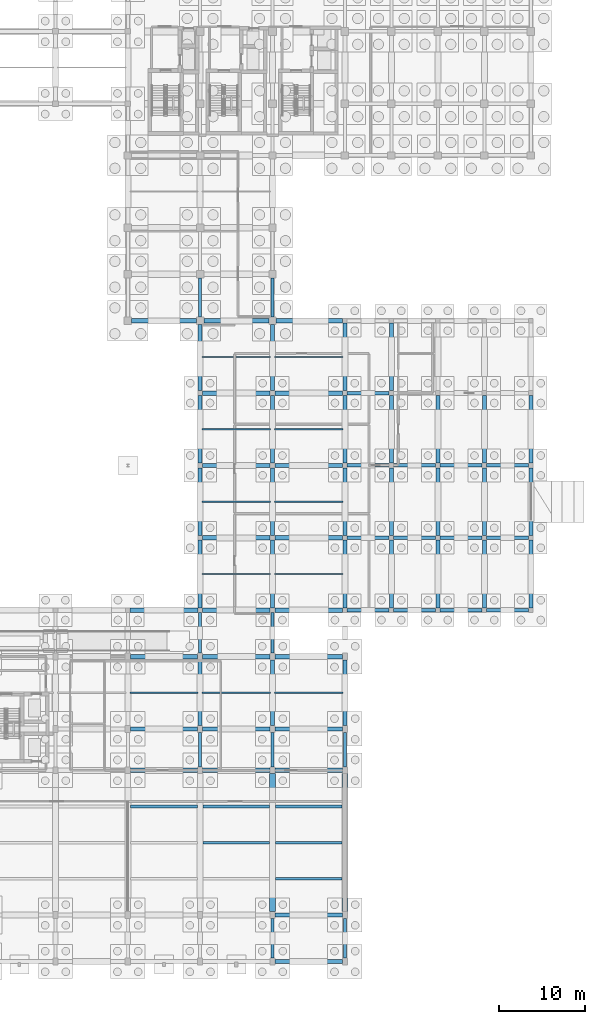
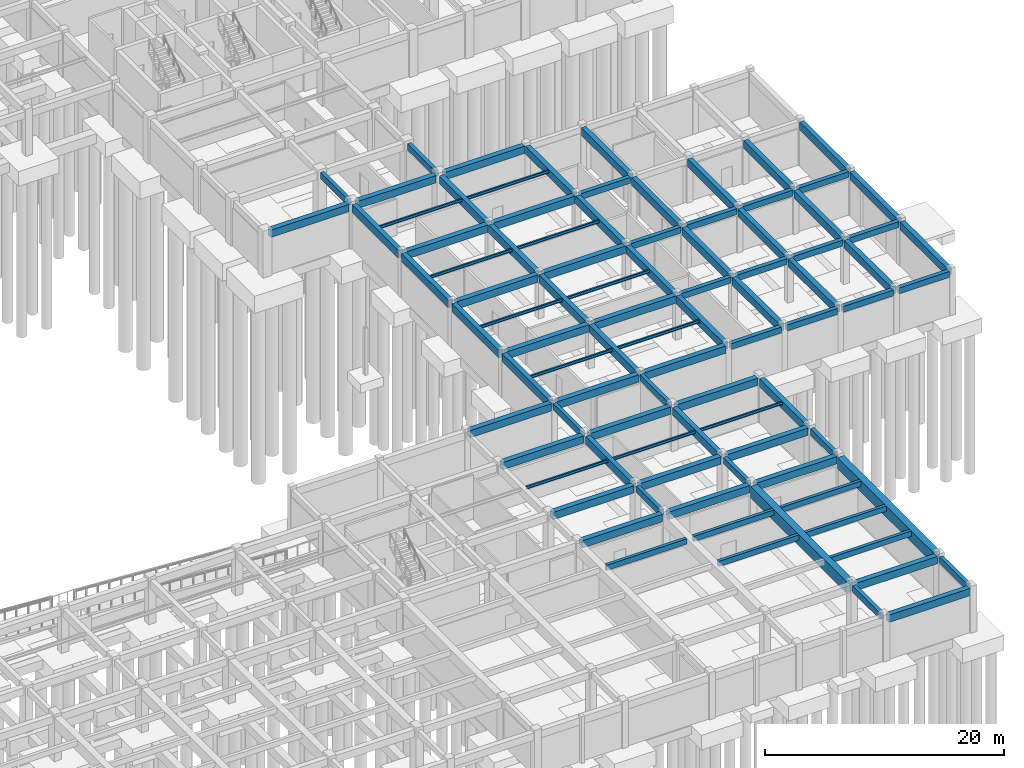
# One storey, part 30 of 49: 92 beams.
"""IFC4 building model written with IfcOpenShell, lengths in metres."""

from ifc_helpers import new_model, si_unit, direction, frame, origin, origin_2d, place, context, subcontext, project, spatial, rectangle, i_section, extrude, material, material_profile, profile_set, type_object, element, save


model = new_model("IFC4")

# Units and contexts
model_context = context("Model", 3, precision=1e-05, world=origin(), true_north=direction((0.0, 1.0)))
body_context = subcontext(model_context, "Body", "Model", "MODEL_VIEW")
ifc_project = project(units=[si_unit("LENGTHUNIT", "METRE"), si_unit("AREAUNIT", "SQUARE_METRE"), si_unit("VOLUMEUNIT", "CUBIC_METRE"), si_unit("PLANEANGLEUNIT", "RADIAN"), si_unit("MASSUNIT", "GRAM", prefix="KILO")], contexts=[model_context])

# Site, building, storey
site_placement = place(None, origin())
site = spatial("IfcSite", under=ifc_project, at=site_placement, CompositionType="ELEMENT")
building_placement = place(site_placement, origin())
building = spatial("IfcBuilding", under=site, at=building_placement, Name="Krzemoval Escarpment Law Courts", CompositionType="ELEMENT")
storey_placement = place(building_placement, frame((0.0, 0.0, -4.800048828125)))
storey = spatial("IfcBuildingStorey", under=building, at=storey_placement, Name="B1", CompositionType="ELEMENT", Elevation=-4.800048828125)

# Beams
ifc_material_1 = material(Name="Concrete C50/60", Category="concrete")
ifc_material_profile_1 = material_profile(ifc_material_1, rectangle(XDim=0.64990234375, YDim=1.14990234375, at=origin_2d()), Name="PTG 650x1150")
ifc_profile_set_1 = profile_set([ifc_material_profile_1], Name="Concrete C50/60")
beam_type_1 = type_object("IfcBeamType", Name="BM-PTG-650x1150", PredefinedType="BEAM", material=ifc_profile_set_1)
for number, where, z_axis, x_axis, name in (
    (1, (142.800048828125, 5.800048828125, 3.925048828125), (0.0, 1.0, 0.0), (-1.0, 0.0, 0.0), "Beam FG-B1-0411"),
    (2, (151.199951171875, 5.800048828125, 3.925048828125), (0.0, 1.0, 0.0), (-1.0, 0.0, 0.0), "Beam FG-B1-0427"),
):
    element("IfcBeam", number, at=place(storey_placement, frame(where, z_axis=z_axis, x_axis=x_axis)), inside=storey, type_object=beam_type_1, Name=name, PredefinedType="BEAM", context=body_context, shape_type="SweptSolid", body=[
        extrude(rectangle(XDim=0.64990234375, YDim=1.14990234375, at=origin_2d()), origin(), (0.0, 0.0, 1.0), 16.0),
    ])
ifc_material_2 = material(Name="Concrete C40/50", Category="concrete")
ifc_material_profile_2 = material_profile(ifc_material_2, rectangle(XDim=0.35009765625, YDim=0.64990234375, at=origin_2d()), Name="RCB 350x650")
ifc_profile_set_2 = profile_set([ifc_material_profile_2], Name="Concrete C40/50")
beam_type_2 = type_object("IfcBeamType", Name="BM-RC-350x650", PredefinedType="BEAM", material=ifc_profile_set_2)
beam_1_placement = place(storey_placement, frame((134.39990234375, 22.60009765625, 4.175048828125), z_axis=(0.0, 1.0, 0.0), x_axis=(-1.0, 0.0, 0.0)))
element("IfcBeam", 3, at=beam_1_placement, inside=storey, type_object=beam_type_2, Name="Beam FG-B1-0396", PredefinedType="BEAM", context=body_context, shape_type="SweptSolid", body=[
    extrude(rectangle(XDim=0.35009765625, YDim=0.64990234375, at=origin_2d()), origin(), (0.0, 0.0, 1.0), 4.0),
])
beam_2_placement = place(storey_placement, frame((134.39990234375, 35.800048828125, 4.175048828125), z_axis=(0.0, 1.0, 0.0), x_axis=(-1.0, 0.0, 0.0)))
element("IfcBeam", 4, at=beam_2_placement, inside=storey, type_object=beam_type_2, Name="Beam FG-B1-0398", PredefinedType="BEAM", context=body_context, shape_type="SweptSolid", body=[
    extrude(rectangle(XDim=0.35009765625, YDim=0.64990234375, at=origin_2d()), origin(), (0.0, 0.0, 1.0), 4.724853515625),
])
beam_3_placement = place(storey_placement, frame((134.39990234375, 74.824951171875, 4.175048828125), z_axis=(0.0, 1.0, 0.0), x_axis=(-1.0, 0.0, 0.0)))
element("IfcBeam", 5, at=beam_3_placement, inside=storey, type_object=beam_type_2, Name="Beam FG-B1-0403", PredefinedType="BEAM", context=body_context, shape_type="SweptSolid", body=[
    extrude(rectangle(XDim=0.35009765625, YDim=0.64990234375, at=origin_2d()), origin(), (0.0, 0.0, 1.0), 4.550048828125),
])
beam_4_placement = place(storey_placement, frame((142.800048828125, 0.39990234375, 4.175048828125), z_axis=(0.0, 1.0, 0.0), x_axis=(-1.0, 0.0, 0.0)))
element("IfcBeam", 6, at=beam_4_placement, inside=storey, type_object=beam_type_2, Name="Beam FG-B1-0410", PredefinedType="BEAM", context=body_context, shape_type="SweptSolid", body=[
    extrude(rectangle(XDim=0.35009765625, YDim=0.64990234375, at=origin_2d()), origin(), (0.0, 0.0, 1.0), 4.60009765625),
])
beam_5_placement = place(storey_placement, frame((142.800048828125, 22.60009765625, 4.175048828125), z_axis=(0.0, 1.0, 0.0), x_axis=(-1.0, 0.0, 0.0)))
element("IfcBeam", 7, at=beam_5_placement, inside=storey, type_object=beam_type_2, Name="Beam FG-B1-0412", PredefinedType="BEAM", context=body_context, shape_type="SweptSolid", body=[
    extrude(rectangle(XDim=0.35009765625, YDim=0.64990234375, at=origin_2d()), origin(), (0.0, 0.0, 1.0), 4.0),
])
beam_6_placement = place(storey_placement, frame((142.800048828125, 35.800048828125, 4.175048828125), z_axis=(0.0, 1.0, 0.0), x_axis=(-1.0, 0.0, 0.0)))
element("IfcBeam", 8, at=beam_6_placement, inside=storey, type_object=beam_type_2, Name="Beam FG-B1-0414", PredefinedType="BEAM", context=body_context, shape_type="SweptSolid", body=[
    extrude(rectangle(XDim=0.35009765625, YDim=0.64990234375, at=origin_2d()), origin(), (0.0, 0.0, 1.0), 4.724853515625),
])
beam_7_placement = place(storey_placement, frame((142.800048828125, 74.824951171875, 4.175048828125), z_axis=(0.0, 1.0, 0.0), x_axis=(-1.0, 0.0, 0.0)))
element("IfcBeam", 9, at=beam_7_placement, inside=storey, type_object=beam_type_2, Name="Beam FG-B1-0419", PredefinedType="BEAM", context=body_context, shape_type="SweptSolid", body=[
    extrude(rectangle(XDim=0.35009765625, YDim=0.64990234375, at=origin_2d()), origin(), (0.0, 0.0, 1.0), 4.550048828125),
])
beam_8_placement = place(storey_placement, frame((151.199951171875, 0.39990234375, 4.175048828125), z_axis=(0.0, 1.0, 0.0), x_axis=(-1.0, 0.0, 0.0)))
element("IfcBeam", 10, at=beam_8_placement, inside=storey, type_object=beam_type_2, Name="Beam FG-B1-0426", PredefinedType="BEAM", context=body_context, shape_type="SweptSolid", body=[
    extrude(rectangle(XDim=0.35009765625, YDim=0.64990234375, at=origin_2d()), origin(), (0.0, 0.0, 1.0), 4.60009765625),
])
beam_9_placement = place(storey_placement, frame((151.199951171875, 22.60009765625, 4.175048828125), z_axis=(0.0, 1.0, 0.0), x_axis=(-1.0, 0.0, 0.0)))
element("IfcBeam", 11, at=beam_9_placement, inside=storey, type_object=beam_type_2, Name="Beam FG-B1-0428", PredefinedType="BEAM", context=body_context, shape_type="SweptSolid", body=[
    extrude(rectangle(XDim=0.35009765625, YDim=0.64990234375, at=origin_2d()), origin(), (0.0, 0.0, 1.0), 4.0),
])
ifc_material_3 = material(Name="Concrete C40/50", Category="concrete")
ifc_material_profile_3 = material_profile(ifc_material_3, rectangle(XDim=0.39990234375, YDim=0.60009765625, at=origin_2d()), Name="RCB 400x600")
ifc_profile_set_3 = profile_set([ifc_material_profile_3], Name="Concrete C40/50")
beam_type_3 = type_object("IfcBeamType", Name="BM-RC-400x600", PredefinedType="BEAM", material=ifc_profile_set_3)
beam_10_placement = place(storey_placement, frame((151.47509765625, 40.800048828125, 4.199951171875), z_axis=(1.0, 0.0, 0.0), x_axis=(0.0, 1.0, 0.0)))
element("IfcBeam", 12, at=beam_10_placement, inside=storey, type_object=beam_type_3, Name="Beam FG-B1-0099", PredefinedType="BEAM", context=body_context, shape_type="SweptSolid", body=[
    extrude(rectangle(XDim=0.39990234375, YDim=0.60009765625, at=origin_2d()), origin(), (0.0, 0.0, 1.0), 4.849853515625),
])
for number, where, z_axis, x_axis, name in (
    (13, (156.875, 40.800048828125, 4.199951171875), (1.0, 0.0, 0.0), (0.0, 1.0, 0.0), "Beam FG-B1-0100"),
    (14, (162.27490234375, 40.800048828125, 4.199951171875), (1.0, 0.0, 0.0), (0.0, 1.0, 0.0), "Beam FG-B1-0101"),
):
    element("IfcBeam", number, at=place(storey_placement, frame(where, z_axis=z_axis, x_axis=x_axis)), inside=storey, type_object=beam_type_3, Name=name, PredefinedType="BEAM", context=body_context, shape_type="SweptSolid", body=[
        extrude(rectangle(XDim=0.39990234375, YDim=0.60009765625, at=origin_2d()), origin(), (0.0, 0.0, 1.0), 4.85009765625),
    ])
for number, where, z_axis, x_axis, name in (
    (15, (167.675048828125, 40.800048828125, 4.199951171875), (1.0, 0.0, 0.0), (0.0, 1.0, 0.0), "Beam FG-B1-0102"),
    (16, (151.47509765625, 49.199951171875, 4.199951171875), (1.0, 0.0, 0.0), (0.0, 1.0, 0.0), "Beam FG-B1-0109"),
):
    element("IfcBeam", number, at=place(storey_placement, frame(where, z_axis=z_axis, x_axis=x_axis)), inside=storey, type_object=beam_type_3, Name=name, PredefinedType="BEAM", context=body_context, shape_type="SweptSolid", body=[
        extrude(rectangle(XDim=0.39990234375, YDim=0.60009765625, at=origin_2d()), origin(), (0.0, 0.0, 1.0), 4.849853515625),
    ])
for number, where, z_axis, x_axis, name in (
    (17, (156.875, 49.199951171875, 4.199951171875), (1.0, 0.0, 0.0), (0.0, 1.0, 0.0), "Beam FG-B1-0110"),
    (18, (162.27490234375, 49.199951171875, 4.199951171875), (1.0, 0.0, 0.0), (0.0, 1.0, 0.0), "Beam FG-B1-0111"),
):
    element("IfcBeam", number, at=place(storey_placement, frame(where, z_axis=z_axis, x_axis=x_axis)), inside=storey, type_object=beam_type_3, Name=name, PredefinedType="BEAM", context=body_context, shape_type="SweptSolid", body=[
        extrude(rectangle(XDim=0.39990234375, YDim=0.60009765625, at=origin_2d()), origin(), (0.0, 0.0, 1.0), 4.85009765625),
    ])
for number, where, z_axis, x_axis, name in (
    (19, (167.675048828125, 49.199951171875, 4.199951171875), (1.0, 0.0, 0.0), (0.0, 1.0, 0.0), "Beam FG-B1-0112"),
    (20, (151.47509765625, 57.60009765625, 4.199951171875), (1.0, 0.0, 0.0), (0.0, 1.0, 0.0), "Beam FG-B1-0119"),
):
    element("IfcBeam", number, at=place(storey_placement, frame(where, z_axis=z_axis, x_axis=x_axis)), inside=storey, type_object=beam_type_3, Name=name, PredefinedType="BEAM", context=body_context, shape_type="SweptSolid", body=[
        extrude(rectangle(XDim=0.39990234375, YDim=0.60009765625, at=origin_2d()), origin(), (0.0, 0.0, 1.0), 4.849853515625),
    ])
for number, where, z_axis, x_axis, name in (
    (21, (156.875, 57.60009765625, 4.199951171875), (1.0, 0.0, 0.0), (0.0, 1.0, 0.0), "Beam FG-B1-0120"),
    (22, (162.27490234375, 57.60009765625, 4.199951171875), (1.0, 0.0, 0.0), (0.0, 1.0, 0.0), "Beam FG-B1-0121"),
):
    element("IfcBeam", number, at=place(storey_placement, frame(where, z_axis=z_axis, x_axis=x_axis)), inside=storey, type_object=beam_type_3, Name=name, PredefinedType="BEAM", context=body_context, shape_type="SweptSolid", body=[
        extrude(rectangle(XDim=0.39990234375, YDim=0.60009765625, at=origin_2d()), origin(), (0.0, 0.0, 1.0), 4.85009765625),
    ])
for number, where, z_axis, x_axis, name in (
    (23, (167.675048828125, 57.60009765625, 4.199951171875), (1.0, 0.0, 0.0), (0.0, 1.0, 0.0), "Beam FG-B1-0122"),
    (24, (151.47509765625, 66.0, 4.199951171875), (1.0, 0.0, 0.0), (0.0, 1.0, 0.0), "Beam FG-B1-0129"),
):
    element("IfcBeam", number, at=place(storey_placement, frame(where, z_axis=z_axis, x_axis=x_axis)), inside=storey, type_object=beam_type_3, Name=name, PredefinedType="BEAM", context=body_context, shape_type="SweptSolid", body=[
        extrude(rectangle(XDim=0.39990234375, YDim=0.60009765625, at=origin_2d()), origin(), (0.0, 0.0, 1.0), 4.849853515625),
    ])
ifc_material_4 = material(Name="Concrete C40/50", Category="concrete")
ifc_material_profile_4 = material_profile(ifc_material_4, rectangle(XDim=0.449951171875, YDim=0.800048828125, at=origin_2d()), Name="RCB 450x800")
ifc_profile_set_4 = profile_set([ifc_material_profile_4], Name="Concrete C40/50")
beam_type_4 = type_object("IfcBeamType", Name="BM-RC-450x800", PredefinedType="BEAM", material=ifc_profile_set_4)
beam_11_placement = place(storey_placement, frame((134.39990234375, 27.39990234375, 4.10009765625), z_axis=(0.0, 1.0, 0.0), x_axis=(-1.0, 0.0, 0.0)))
element("IfcBeam", 25, at=beam_11_placement, inside=storey, type_object=beam_type_4, Name="Beam FG-B1-0397", PredefinedType="BEAM", context=body_context, shape_type="SweptSolid", body=[
    extrude(rectangle(XDim=0.449951171875, YDim=0.800048828125, at=origin_2d()), origin(), (0.0, 0.0, 1.0), 7.60009765625),
])
beam_12_placement = place(storey_placement, frame((134.39990234375, 41.074951171875, 4.10009765625), z_axis=(0.0, 1.0, 0.0), x_axis=(-1.0, 0.0, 0.0)))
element("IfcBeam", 26, at=beam_12_placement, inside=storey, type_object=beam_type_4, Name="Beam FG-B1-0399", PredefinedType="BEAM", context=body_context, shape_type="SweptSolid", body=[
    extrude(rectangle(XDim=0.449951171875, YDim=0.800048828125, at=origin_2d()), origin(), (0.0, 0.0, 1.0), 7.85009765625),
])
beam_13_placement = place(storey_placement, frame((134.39990234375, 49.47509765625, 4.10009765625), z_axis=(0.0, 1.0, 0.0), x_axis=(-1.0, 0.0, 0.0)))
element("IfcBeam", 27, at=beam_13_placement, inside=storey, type_object=beam_type_4, Name="Beam FG-B1-0400", PredefinedType="BEAM", context=body_context, shape_type="SweptSolid", body=[
    extrude(rectangle(XDim=0.449951171875, YDim=0.800048828125, at=origin_2d()), origin(), (0.0, 0.0, 1.0), 7.849853515625),
])
beam_14_placement = place(storey_placement, frame((134.39990234375, 57.875, 4.10009765625), z_axis=(0.0, 1.0, 0.0), x_axis=(-1.0, 0.0, 0.0)))
element("IfcBeam", 28, at=beam_14_placement, inside=storey, type_object=beam_type_4, Name="Beam FG-B1-0401", PredefinedType="BEAM", context=body_context, shape_type="SweptSolid", body=[
    extrude(rectangle(XDim=0.449951171875, YDim=0.800048828125, at=origin_2d()), origin(), (0.0, 0.0, 1.0), 7.85009765625),
])
beam_15_placement = place(storey_placement, frame((134.39990234375, 66.27490234375, 4.10009765625), z_axis=(0.0, 1.0, 0.0), x_axis=(-1.0, 0.0, 0.0)))
element("IfcBeam", 29, at=beam_15_placement, inside=storey, type_object=beam_type_4, Name="Beam FG-B1-0402", PredefinedType="BEAM", context=body_context, shape_type="SweptSolid", body=[
    extrude(rectangle(XDim=0.449951171875, YDim=0.800048828125, at=origin_2d()), origin(), (0.0, 0.0, 1.0), 7.7001953125),
])
beam_16_placement = place(storey_placement, frame((142.800048828125, 27.39990234375, 4.10009765625), z_axis=(0.0, 1.0, 0.0), x_axis=(-1.0, 0.0, 0.0)))
element("IfcBeam", 30, at=beam_16_placement, inside=storey, type_object=beam_type_4, Name="Beam FG-B1-0413", PredefinedType="BEAM", context=body_context, shape_type="SweptSolid", body=[
    extrude(rectangle(XDim=0.449951171875, YDim=0.800048828125, at=origin_2d()), origin(), (0.0, 0.0, 1.0), 7.60009765625),
])
beam_17_placement = place(storey_placement, frame((142.800048828125, 41.074951171875, 4.10009765625), z_axis=(0.0, 1.0, 0.0), x_axis=(-1.0, 0.0, 0.0)))
element("IfcBeam", 31, at=beam_17_placement, inside=storey, type_object=beam_type_4, Name="Beam FG-B1-0415", PredefinedType="BEAM", context=body_context, shape_type="SweptSolid", body=[
    extrude(rectangle(XDim=0.449951171875, YDim=0.800048828125, at=origin_2d()), origin(), (0.0, 0.0, 1.0), 7.85009765625),
])
beam_18_placement = place(storey_placement, frame((142.800048828125, 49.47509765625, 4.10009765625), z_axis=(0.0, 1.0, 0.0), x_axis=(-1.0, 0.0, 0.0)))
element("IfcBeam", 32, at=beam_18_placement, inside=storey, type_object=beam_type_4, Name="Beam FG-B1-0416", PredefinedType="BEAM", context=body_context, shape_type="SweptSolid", body=[
    extrude(rectangle(XDim=0.449951171875, YDim=0.800048828125, at=origin_2d()), origin(), (0.0, 0.0, 1.0), 7.849853515625),
])
beam_19_placement = place(storey_placement, frame((142.800048828125, 57.875, 4.10009765625), z_axis=(0.0, 1.0, 0.0), x_axis=(-1.0, 0.0, 0.0)))
element("IfcBeam", 33, at=beam_19_placement, inside=storey, type_object=beam_type_4, Name="Beam FG-B1-0417", PredefinedType="BEAM", context=body_context, shape_type="SweptSolid", body=[
    extrude(rectangle(XDim=0.449951171875, YDim=0.800048828125, at=origin_2d()), origin(), (0.0, 0.0, 1.0), 7.85009765625),
])
beam_20_placement = place(storey_placement, frame((142.800048828125, 66.27490234375, 4.10009765625), z_axis=(0.0, 1.0, 0.0), x_axis=(-1.0, 0.0, 0.0)))
element("IfcBeam", 34, at=beam_20_placement, inside=storey, type_object=beam_type_4, Name="Beam FG-B1-0418", PredefinedType="BEAM", context=body_context, shape_type="SweptSolid", body=[
    extrude(rectangle(XDim=0.449951171875, YDim=0.800048828125, at=origin_2d()), origin(), (0.0, 0.0, 1.0), 7.7001953125),
])
beam_21_placement = place(storey_placement, frame((151.199951171875, 27.39990234375, 4.10009765625), z_axis=(0.0, 1.0, 0.0), x_axis=(-1.0, 0.0, 0.0)))
element("IfcBeam", 35, at=beam_21_placement, inside=storey, type_object=beam_type_4, Name="Beam FG-B1-0429", PredefinedType="BEAM", context=body_context, shape_type="SweptSolid", body=[
    extrude(rectangle(XDim=0.449951171875, YDim=0.800048828125, at=origin_2d()), origin(), (0.0, 0.0, 1.0), 7.60009765625),
])
beam_22_placement = place(storey_placement, frame((151.199951171875, 41.074951171875, 4.10009765625), z_axis=(0.0, 1.0, 0.0), x_axis=(-1.0, 0.0, 0.0)))
element("IfcBeam", 36, at=beam_22_placement, inside=storey, type_object=beam_type_4, Name="Beam FG-B1-0430", PredefinedType="BEAM", context=body_context, shape_type="SweptSolid", body=[
    extrude(rectangle(XDim=0.449951171875, YDim=0.800048828125, at=origin_2d()), origin(), (0.0, 0.0, 1.0), 7.85009765625),
])
beam_23_placement = place(storey_placement, frame((151.199951171875, 49.47509765625, 4.10009765625), z_axis=(0.0, 1.0, 0.0), x_axis=(-1.0, 0.0, 0.0)))
element("IfcBeam", 37, at=beam_23_placement, inside=storey, type_object=beam_type_4, Name="Beam FG-B1-0431", PredefinedType="BEAM", context=body_context, shape_type="SweptSolid", body=[
    extrude(rectangle(XDim=0.449951171875, YDim=0.800048828125, at=origin_2d()), origin(), (0.0, 0.0, 1.0), 7.849853515625),
])
for number, where, z_axis, x_axis, name in (
    (38, (151.199951171875, 57.875, 4.10009765625), (0.0, 1.0, 0.0), (-1.0, 0.0, 0.0), "Beam FG-B1-0432"),
    (39, (151.199951171875, 66.27490234375, 4.10009765625), (0.0, 1.0, 0.0), (-1.0, 0.0, 0.0), "Beam FG-B1-0433"),
    (40, (156.60009765625, 41.074951171875, 4.10009765625), (0.0, 1.0, 0.0), (-1.0, 0.0, 0.0), "Beam FG-B1-0438"),
):
    element("IfcBeam", number, at=place(storey_placement, frame(where, z_axis=z_axis, x_axis=x_axis)), inside=storey, type_object=beam_type_4, Name=name, PredefinedType="BEAM", context=body_context, shape_type="SweptSolid", body=[
        extrude(rectangle(XDim=0.449951171875, YDim=0.800048828125, at=origin_2d()), origin(), (0.0, 0.0, 1.0), 7.85009765625),
    ])
beam_24_placement = place(storey_placement, frame((156.60009765625, 49.47509765625, 4.10009765625), z_axis=(0.0, 1.0, 0.0), x_axis=(-1.0, 0.0, 0.0)))
element("IfcBeam", 41, at=beam_24_placement, inside=storey, type_object=beam_type_4, Name="Beam FG-B1-0439", PredefinedType="BEAM", context=body_context, shape_type="SweptSolid", body=[
    extrude(rectangle(XDim=0.449951171875, YDim=0.800048828125, at=origin_2d()), origin(), (0.0, 0.0, 1.0), 7.849853515625),
])
for number, where, z_axis, x_axis, name in (
    (42, (156.60009765625, 57.875, 4.10009765625), (0.0, 1.0, 0.0), (-1.0, 0.0, 0.0), "Beam FG-B1-0440"),
    (43, (156.60009765625, 66.27490234375, 4.10009765625), (0.0, 1.0, 0.0), (-1.0, 0.0, 0.0), "Beam FG-B1-0441"),
    (44, (162.0, 41.074951171875, 4.10009765625), (0.0, 1.0, 0.0), (-1.0, 0.0, 0.0), "Beam FG-B1-0446"),
):
    element("IfcBeam", number, at=place(storey_placement, frame(where, z_axis=z_axis, x_axis=x_axis)), inside=storey, type_object=beam_type_4, Name=name, PredefinedType="BEAM", context=body_context, shape_type="SweptSolid", body=[
        extrude(rectangle(XDim=0.449951171875, YDim=0.800048828125, at=origin_2d()), origin(), (0.0, 0.0, 1.0), 7.85009765625),
    ])
beam_25_placement = place(storey_placement, frame((162.0, 49.47509765625, 4.10009765625), z_axis=(0.0, 1.0, 0.0), x_axis=(-1.0, 0.0, 0.0)))
element("IfcBeam", 45, at=beam_25_placement, inside=storey, type_object=beam_type_4, Name="Beam FG-B1-0447", PredefinedType="BEAM", context=body_context, shape_type="SweptSolid", body=[
    extrude(rectangle(XDim=0.449951171875, YDim=0.800048828125, at=origin_2d()), origin(), (0.0, 0.0, 1.0), 7.849853515625),
])
for number, where, z_axis, x_axis, name in (
    (46, (162.0, 57.875, 4.10009765625), (0.0, 1.0, 0.0), (-1.0, 0.0, 0.0), "Beam FG-B1-0448"),
    (47, (167.39990234375, 41.074951171875, 4.10009765625), (0.0, 1.0, 0.0), (-1.0, 0.0, 0.0), "Beam FG-B1-0454"),
):
    element("IfcBeam", number, at=place(storey_placement, frame(where, z_axis=z_axis, x_axis=x_axis)), inside=storey, type_object=beam_type_4, Name=name, PredefinedType="BEAM", context=body_context, shape_type="SweptSolid", body=[
        extrude(rectangle(XDim=0.449951171875, YDim=0.800048828125, at=origin_2d()), origin(), (0.0, 0.0, 1.0), 7.85009765625),
    ])
beam_26_placement = place(storey_placement, frame((167.39990234375, 49.47509765625, 4.10009765625), z_axis=(0.0, 1.0, 0.0), x_axis=(-1.0, 0.0, 0.0)))
element("IfcBeam", 48, at=beam_26_placement, inside=storey, type_object=beam_type_4, Name="Beam FG-B1-0455", PredefinedType="BEAM", context=body_context, shape_type="SweptSolid", body=[
    extrude(rectangle(XDim=0.449951171875, YDim=0.800048828125, at=origin_2d()), origin(), (0.0, 0.0, 1.0), 7.849853515625),
])
for number, where, z_axis, x_axis, name in (
    (49, (167.39990234375, 57.875, 4.10009765625), (0.0, 1.0, 0.0), (-1.0, 0.0, 0.0), "Beam FG-B1-0456"),
    (50, (172.800048828125, 41.074951171875, 4.10009765625), (0.0, 1.0, 0.0), (-1.0, 0.0, 0.0), "Beam FG-B1-0462"),
):
    element("IfcBeam", number, at=place(storey_placement, frame(where, z_axis=z_axis, x_axis=x_axis)), inside=storey, type_object=beam_type_4, Name=name, PredefinedType="BEAM", context=body_context, shape_type="SweptSolid", body=[
        extrude(rectangle(XDim=0.449951171875, YDim=0.800048828125, at=origin_2d()), origin(), (0.0, 0.0, 1.0), 7.85009765625),
    ])
beam_27_placement = place(storey_placement, frame((172.800048828125, 49.47509765625, 4.10009765625), z_axis=(0.0, 1.0, 0.0), x_axis=(-1.0, 0.0, 0.0)))
element("IfcBeam", 51, at=beam_27_placement, inside=storey, type_object=beam_type_4, Name="Beam FG-B1-0463", PredefinedType="BEAM", context=body_context, shape_type="SweptSolid", body=[
    extrude(rectangle(XDim=0.449951171875, YDim=0.800048828125, at=origin_2d()), origin(), (0.0, 0.0, 1.0), 7.849853515625),
])
beam_28_placement = place(storey_placement, frame((172.800048828125, 57.875, 4.10009765625), z_axis=(0.0, 1.0, 0.0), x_axis=(-1.0, 0.0, 0.0)))
element("IfcBeam", 52, at=beam_28_placement, inside=storey, type_object=beam_type_4, Name="Beam FG-B1-0464", PredefinedType="BEAM", context=body_context, shape_type="SweptSolid", body=[
    extrude(rectangle(XDim=0.449951171875, YDim=0.800048828125, at=origin_2d()), origin(), (0.0, 0.0, 1.0), 7.85009765625),
])
ifc_material_5 = material(Name="Concrete C40/50", Category="concrete")
ifc_material_profile_5 = material_profile(ifc_material_5, rectangle(XDim=0.5, YDim=0.75, at=origin_2d()), Name="RCB 500x750")
ifc_profile_set_5 = profile_set([ifc_material_profile_5], Name="Concrete C40/50")
beam_type_5 = type_object("IfcBeamType", Name="BM-RC-500x750", PredefinedType="BEAM", material=ifc_profile_set_5)
for number, where, z_axis, x_axis, name in (
    (53, (143.10009765625, 0.0, 4.125), (1.0, 0.0, 0.0), (0.0, 1.0, 0.0), "Beam FG-B1-0018"),
    (54, (143.10009765625, 5.39990234375, 4.125), (1.0, 0.0, 0.0), (0.0, 1.0, 0.0), "Beam FG-B1-0036"),
):
    element("IfcBeam", number, at=place(storey_placement, frame(where, z_axis=z_axis, x_axis=x_axis)), inside=storey, type_object=beam_type_5, Name=name, PredefinedType="BEAM", context=body_context, shape_type="SweptSolid", body=[
        extrude(rectangle(XDim=0.5, YDim=0.75, at=origin_2d()), origin(), (0.0, 0.0, 1.0), 7.7998046875),
    ])
for number, where, z_axis, x_axis, name in (
    (55, (126.300048828125, 22.199951171875, 4.125), (1.0, 0.0, 0.0), (0.0, 1.0, 0.0), "Beam FG-B1-0052"),
    (56, (134.699951171875, 22.199951171875, 4.125), (1.0, 0.0, 0.0), (0.0, 1.0, 0.0), "Beam FG-B1-0053"),
):
    element("IfcBeam", number, at=place(storey_placement, frame(where, z_axis=z_axis, x_axis=x_axis)), inside=storey, type_object=beam_type_5, Name=name, PredefinedType="BEAM", context=body_context, shape_type="SweptSolid", body=[
        extrude(rectangle(XDim=0.5, YDim=0.75, at=origin_2d()), origin(), (0.0, 0.0, 1.0), 7.800048828125),
    ])
beam_29_placement = place(storey_placement, frame((143.10009765625, 22.199951171875, 4.125), z_axis=(1.0, 0.0, 0.0), x_axis=(0.0, 1.0, 0.0)))
element("IfcBeam", 57, at=beam_29_placement, inside=storey, type_object=beam_type_5, Name="Beam FG-B1-0054", PredefinedType="BEAM", context=body_context, shape_type="SweptSolid", body=[
    extrude(rectangle(XDim=0.5, YDim=0.75, at=origin_2d()), origin(), (0.0, 0.0, 1.0), 7.7998046875),
])
for number, where, z_axis, x_axis, name in (
    (58, (126.300048828125, 27.0, 4.125), (1.0, 0.0, 0.0), (0.0, 1.0, 0.0), "Beam FG-B1-0069"),
    (59, (134.699951171875, 27.0, 4.125), (1.0, 0.0, 0.0), (0.0, 1.0, 0.0), "Beam FG-B1-0070"),
):
    element("IfcBeam", number, at=place(storey_placement, frame(where, z_axis=z_axis, x_axis=x_axis)), inside=storey, type_object=beam_type_5, Name=name, PredefinedType="BEAM", context=body_context, shape_type="SweptSolid", body=[
        extrude(rectangle(XDim=0.5, YDim=0.75, at=origin_2d()), origin(), (0.0, 0.0, 1.0), 7.800048828125),
    ])
beam_30_placement = place(storey_placement, frame((143.10009765625, 27.0, 4.125), z_axis=(1.0, 0.0, 0.0), x_axis=(0.0, 1.0, 0.0)))
element("IfcBeam", 60, at=beam_30_placement, inside=storey, type_object=beam_type_5, Name="Beam FG-B1-0071", PredefinedType="BEAM", context=body_context, shape_type="SweptSolid", body=[
    extrude(rectangle(XDim=0.5, YDim=0.75, at=origin_2d()), origin(), (0.0, 0.0, 1.0), 7.7998046875),
])
for number, where, z_axis, x_axis, name in (
    (61, (126.300048828125, 35.39990234375, 4.125), (1.0, 0.0, 0.0), (0.0, 1.0, 0.0), "Beam FG-B1-0087"),
    (62, (134.699951171875, 35.39990234375, 4.125), (1.0, 0.0, 0.0), (0.0, 1.0, 0.0), "Beam FG-B1-0088"),
):
    element("IfcBeam", number, at=place(storey_placement, frame(where, z_axis=z_axis, x_axis=x_axis)), inside=storey, type_object=beam_type_5, Name=name, PredefinedType="BEAM", context=body_context, shape_type="SweptSolid", body=[
        extrude(rectangle(XDim=0.5, YDim=0.75, at=origin_2d()), origin(), (0.0, 0.0, 1.0), 7.800048828125),
    ])
beam_31_placement = place(storey_placement, frame((143.10009765625, 35.39990234375, 4.125), z_axis=(1.0, 0.0, 0.0), x_axis=(0.0, 1.0, 0.0)))
element("IfcBeam", 63, at=beam_31_placement, inside=storey, type_object=beam_type_5, Name="Beam FG-B1-0089", PredefinedType="BEAM", context=body_context, shape_type="SweptSolid", body=[
    extrude(rectangle(XDim=0.5, YDim=0.75, at=origin_2d()), origin(), (0.0, 0.0, 1.0), 7.7998046875),
])
beam_32_placement = place(storey_placement, frame((126.27490234375, 40.800048828125, 4.125), z_axis=(1.0, 0.0, 0.0), x_axis=(0.0, 1.0, 0.0)))
element("IfcBeam", 64, at=beam_32_placement, inside=storey, type_object=beam_type_5, Name="Beam FG-B1-0096", PredefinedType="BEAM", context=body_context, shape_type="SweptSolid", body=[
    extrude(rectangle(XDim=0.5, YDim=0.75, at=origin_2d()), origin(), (0.0, 0.0, 1.0), 7.85009765625),
])
beam_33_placement = place(storey_placement, frame((134.675048828125, 40.800048828125, 4.125), z_axis=(1.0, 0.0, 0.0), x_axis=(0.0, 1.0, 0.0)))
element("IfcBeam", 65, at=beam_33_placement, inside=storey, type_object=beam_type_5, Name="Beam FG-B1-0097", PredefinedType="BEAM", context=body_context, shape_type="SweptSolid", body=[
    extrude(rectangle(XDim=0.5, YDim=0.75, at=origin_2d()), origin(), (0.0, 0.0, 1.0), 7.849853515625),
])
beam_34_placement = place(storey_placement, frame((143.074951171875, 40.800048828125, 4.125), z_axis=(1.0, 0.0, 0.0), x_axis=(0.0, 1.0, 0.0)))
element("IfcBeam", 66, at=beam_34_placement, inside=storey, type_object=beam_type_5, Name="Beam FG-B1-0098", PredefinedType="BEAM", context=body_context, shape_type="SweptSolid", body=[
    extrude(rectangle(XDim=0.5, YDim=0.75, at=origin_2d()), origin(), (0.0, 0.0, 1.0), 7.85009765625),
])
beam_35_placement = place(storey_placement, frame((134.675048828125, 49.199951171875, 4.125), z_axis=(1.0, 0.0, 0.0), x_axis=(0.0, 1.0, 0.0)))
element("IfcBeam", 67, at=beam_35_placement, inside=storey, type_object=beam_type_5, Name="Beam FG-B1-0107", PredefinedType="BEAM", context=body_context, shape_type="SweptSolid", body=[
    extrude(rectangle(XDim=0.5, YDim=0.75, at=origin_2d()), origin(), (0.0, 0.0, 1.0), 7.849853515625),
])
beam_36_placement = place(storey_placement, frame((143.074951171875, 49.199951171875, 4.125), z_axis=(1.0, 0.0, 0.0), x_axis=(0.0, 1.0, 0.0)))
element("IfcBeam", 68, at=beam_36_placement, inside=storey, type_object=beam_type_5, Name="Beam FG-B1-0108", PredefinedType="BEAM", context=body_context, shape_type="SweptSolid", body=[
    extrude(rectangle(XDim=0.5, YDim=0.75, at=origin_2d()), origin(), (0.0, 0.0, 1.0), 7.85009765625),
])
beam_37_placement = place(storey_placement, frame((134.675048828125, 57.60009765625, 4.125), z_axis=(1.0, 0.0, 0.0), x_axis=(0.0, 1.0, 0.0)))
element("IfcBeam", 69, at=beam_37_placement, inside=storey, type_object=beam_type_5, Name="Beam FG-B1-0117", PredefinedType="BEAM", context=body_context, shape_type="SweptSolid", body=[
    extrude(rectangle(XDim=0.5, YDim=0.75, at=origin_2d()), origin(), (0.0, 0.0, 1.0), 7.849853515625),
])
beam_38_placement = place(storey_placement, frame((143.074951171875, 57.60009765625, 4.125), z_axis=(1.0, 0.0, 0.0), x_axis=(0.0, 1.0, 0.0)))
element("IfcBeam", 70, at=beam_38_placement, inside=storey, type_object=beam_type_5, Name="Beam FG-B1-0118", PredefinedType="BEAM", context=body_context, shape_type="SweptSolid", body=[
    extrude(rectangle(XDim=0.5, YDim=0.75, at=origin_2d()), origin(), (0.0, 0.0, 1.0), 7.85009765625),
])
beam_39_placement = place(storey_placement, frame((134.675048828125, 66.0, 4.125), z_axis=(1.0, 0.0, 0.0), x_axis=(0.0, 1.0, 0.0)))
element("IfcBeam", 71, at=beam_39_placement, inside=storey, type_object=beam_type_5, Name="Beam FG-B1-0127", PredefinedType="BEAM", context=body_context, shape_type="SweptSolid", body=[
    extrude(rectangle(XDim=0.5, YDim=0.75, at=origin_2d()), origin(), (0.0, 0.0, 1.0), 7.849853515625),
])
beam_40_placement = place(storey_placement, frame((143.074951171875, 66.0, 4.125), z_axis=(1.0, 0.0, 0.0), x_axis=(0.0, 1.0, 0.0)))
element("IfcBeam", 72, at=beam_40_placement, inside=storey, type_object=beam_type_5, Name="Beam FG-B1-0128", PredefinedType="BEAM", context=body_context, shape_type="SweptSolid", body=[
    extrude(rectangle(XDim=0.5, YDim=0.75, at=origin_2d()), origin(), (0.0, 0.0, 1.0), 7.85009765625),
])
for number, where, z_axis, x_axis, name in (
    (73, (126.425048828125, 74.39990234375, 4.125), (1.0, 0.0, 0.0), (0.0, 1.0, 0.0), "Beam FG-B1-0137"),
    (74, (134.824951171875, 74.39990234375, 4.125), (1.0, 0.0, 0.0), (0.0, 1.0, 0.0), "Beam FG-B1-0138"),
):
    element("IfcBeam", number, at=place(storey_placement, frame(where, z_axis=z_axis, x_axis=x_axis)), inside=storey, type_object=beam_type_5, Name=name, PredefinedType="BEAM", context=body_context, shape_type="SweptSolid", body=[
        extrude(rectangle(XDim=0.5, YDim=0.75, at=origin_2d()), origin(), (0.0, 0.0, 1.0), 7.550048828125),
    ])
beam_41_placement = place(storey_placement, frame((143.22509765625, 74.39990234375, 4.125), z_axis=(1.0, 0.0, 0.0), x_axis=(0.0, 1.0, 0.0)))
element("IfcBeam", 75, at=beam_41_placement, inside=storey, type_object=beam_type_5, Name="Beam FG-B1-0139", PredefinedType="BEAM", context=body_context, shape_type="SweptSolid", body=[
    extrude(rectangle(XDim=0.5, YDim=0.75, at=origin_2d()), origin(), (0.0, 0.0, 1.0), 7.699951171875),
])
ifc_material_6 = material(Name="Concrete C40/50", Category="concrete")
ifc_material_profile_6 = material_profile(ifc_material_6, rectangle(XDim=0.300048828125, YDim=0.550048828125, at=origin_2d()), Name="RCB 300x550")
ifc_profile_set_6 = profile_set([ifc_material_profile_6], Name="Concrete C40/50")
beam_type_6 = type_object("IfcBeamType", Name="JST-RC-300x550", PredefinedType="JOIST", material=ifc_profile_set_6)
for number, where, z_axis, x_axis, name in (
    (76, (126.324951171875, 18.0, 4.22509765625), (1.0, 0.0, 0.0), (0.0, 1.0, 0.0), "Secondary Joist FJ-B1-0567"),
    (77, (134.72509765625, 13.800048828125, 4.22509765625), (1.0, 0.0, 0.0), (0.0, 1.0, 0.0), "Secondary Joist FJ-B1-0571"),
    (78, (134.72509765625, 18.0, 4.22509765625), (1.0, 0.0, 0.0), (0.0, 1.0, 0.0), "Secondary Joist FJ-B1-0572"),
    (79, (143.125, 9.60009765625, 4.22509765625), (1.0, 0.0, 0.0), (0.0, 1.0, 0.0), "Secondary Joist FJ-B1-0579"),
    (80, (143.125, 13.800048828125, 4.22509765625), (1.0, 0.0, 0.0), (0.0, 1.0, 0.0), "Secondary Joist FJ-B1-0580"),
    (81, (143.125, 18.0, 4.22509765625), (1.0, 0.0, 0.0), (0.0, 1.0, 0.0), "Secondary Joist FJ-B1-0581"),
):
    element("IfcBeam", number, at=place(storey_placement, frame(where, z_axis=z_axis, x_axis=x_axis)), inside=storey, type_object=beam_type_6, Name=name, PredefinedType="JOIST", context=body_context, shape_type="SweptSolid", body=[
        extrude(rectangle(XDim=0.300048828125, YDim=0.550048828125, at=origin_2d()), origin(), (0.0, 0.0, 1.0), 7.75),
    ])
ifc_material_7 = material(Name="Steel S355", Category="steel")
ifc_material_profile_7 = material_profile(ifc_material_7, i_section(OverallWidth=0.14990234375, OverallDepth=0.300048828125, WebThickness=0.007080078125, FlangeThickness=0.0107421875, at=origin_2d()), Name="IPE 300")
ifc_profile_set_7 = profile_set([ifc_material_profile_7], Name="Steel S355")
beam_type_7 = type_object("IfcBeamType", Name="JST-S355-IPE300", PredefinedType="JOIST", material=ifc_profile_set_7)
for number, where, z_axis, x_axis, name in (
    (82, (126.22509765625, 31.199951171875, 4.35009765625), (1.0, 0.0, 0.0), (0.0, 1.0, 0.0), "Secondary Joist FJ-B1-0568"),
    (83, (134.625, 31.199951171875, 4.35009765625), (1.0, 0.0, 0.0), (0.0, 1.0, 0.0), "Secondary Joist FJ-B1-0573"),
    (84, (134.625, 45.0, 4.35009765625), (1.0, 0.0, 0.0), (0.0, 1.0, 0.0), "Secondary Joist FJ-B1-0574"),
    (85, (134.625, 53.39990234375, 4.35009765625), (1.0, 0.0, 0.0), (0.0, 1.0, 0.0), "Secondary Joist FJ-B1-0575"),
    (86, (134.625, 61.800048828125, 4.35009765625), (1.0, 0.0, 0.0), (0.0, 1.0, 0.0), "Secondary Joist FJ-B1-0576"),
    (87, (134.625, 70.199951171875, 4.35009765625), (1.0, 0.0, 0.0), (0.0, 1.0, 0.0), "Secondary Joist FJ-B1-0577"),
):
    element("IfcBeam", number, at=place(storey_placement, frame(where, z_axis=z_axis, x_axis=x_axis)), inside=storey, type_object=beam_type_7, Name=name, PredefinedType="JOIST", context=body_context, shape_type="SweptSolid", body=[
        extrude(i_section(OverallWidth=0.14990234375, OverallDepth=0.300048828125, WebThickness=0.007080078125, FlangeThickness=0.0107421875, at=origin_2d()), origin(), (0.0, 0.0, 1.0), 7.949951171875),
    ])
for number, where, z_axis, x_axis, name in (
    (88, (143.02490234375, 31.199951171875, 4.35009765625), (1.0, 0.0, 0.0), (0.0, 1.0, 0.0), "Secondary Joist FJ-B1-0582"),
    (89, (143.02490234375, 45.0, 4.35009765625), (1.0, 0.0, 0.0), (0.0, 1.0, 0.0), "Secondary Joist FJ-B1-0583"),
    (90, (143.02490234375, 53.39990234375, 4.35009765625), (1.0, 0.0, 0.0), (0.0, 1.0, 0.0), "Secondary Joist FJ-B1-0584"),
    (91, (143.02490234375, 61.800048828125, 4.35009765625), (1.0, 0.0, 0.0), (0.0, 1.0, 0.0), "Secondary Joist FJ-B1-0585"),
    (92, (143.02490234375, 70.199951171875, 4.35009765625), (1.0, 0.0, 0.0), (0.0, 1.0, 0.0), "Secondary Joist FJ-B1-0586"),
):
    element("IfcBeam", number, at=place(storey_placement, frame(where, z_axis=z_axis, x_axis=x_axis)), inside=storey, type_object=beam_type_7, Name=name, PredefinedType="JOIST", context=body_context, shape_type="SweptSolid", body=[
        extrude(i_section(OverallWidth=0.14990234375, OverallDepth=0.300048828125, WebThickness=0.007080078125, FlangeThickness=0.0107421875, at=origin_2d()), origin(), (0.0, 0.0, 1.0), 7.9501953125),
    ])

save(model, "model.ifc")
